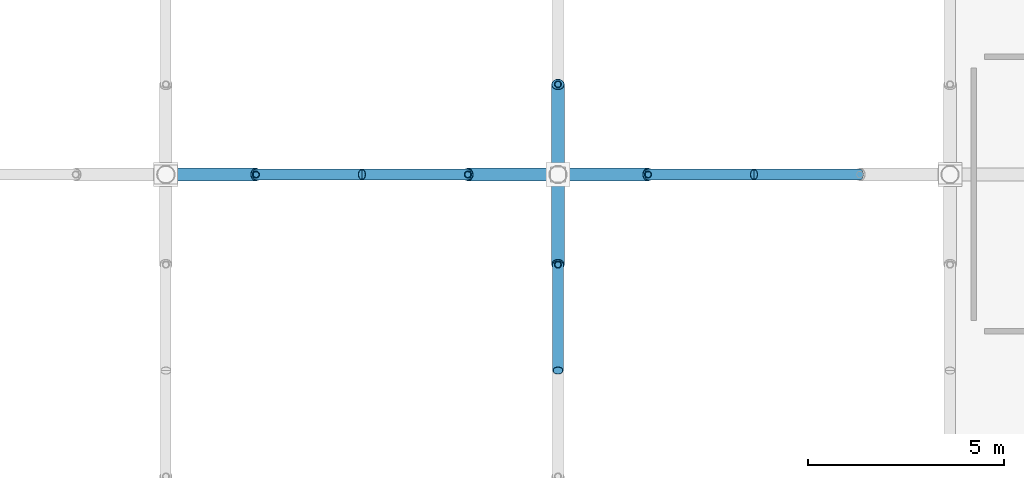
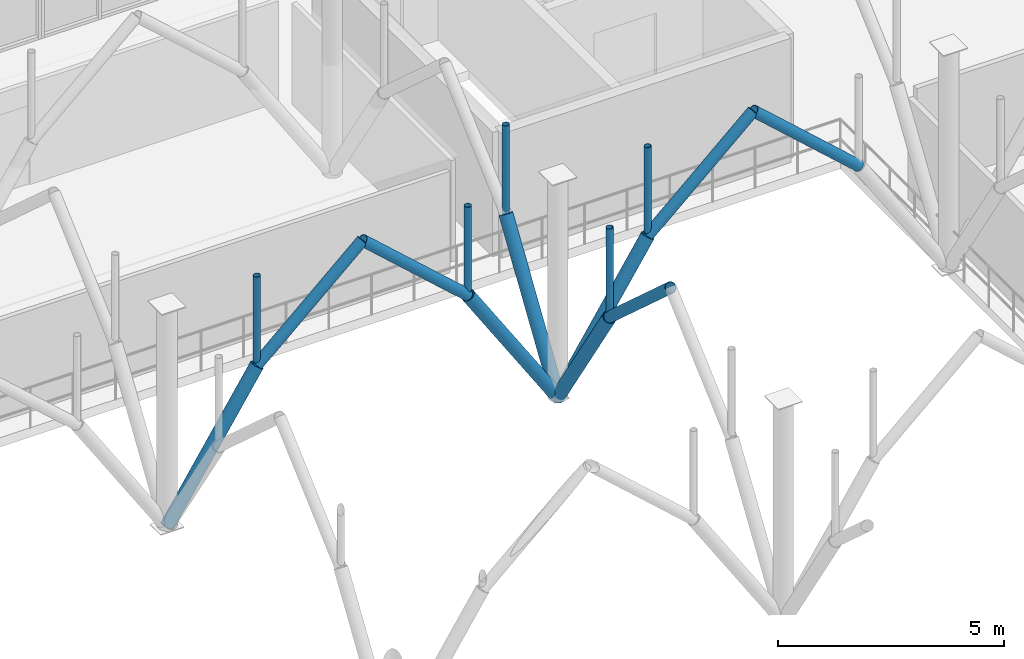
# One storey, part 72 of 109: 15 members.
"""IFC4 building model written with IfcOpenShell, lengths in metres."""

from ifc_helpers import new_model, si_unit, derived_unit, direction, frame, origin, origin_2d_with_axis, place, context, subcontext, project, spatial, hollow_circle, extrude, material, material_profile, profile_set, type_object, element, save


model = new_model("IFC4")

# Units and contexts
model_context = context("Model", 3, precision=1e-05, world=origin(), true_north=direction((0.0, 1.0)))
body_context = subcontext(model_context, "Body", "Model", "MODEL_VIEW")
ifc_project = project(units=[si_unit("LENGTHUNIT", "METRE"), si_unit("AREAUNIT", "SQUARE_METRE"), si_unit("VOLUMEUNIT", "CUBIC_METRE"), si_unit("PLANEANGLEUNIT", "RADIAN"), si_unit("MASSUNIT", "GRAM", prefix="KILO"), derived_unit("THERMALTRANSMITTANCEUNIT", [(si_unit("POWERUNIT", "WATT"), 1), (si_unit("LENGTHUNIT", "METRE"), -2), (si_unit("THERMODYNAMICTEMPERATUREUNIT", "KELVIN"), -1)])], contexts=[model_context])

# Site, building, storey
site_placement = place(None, origin())
site = spatial("IfcSite", under=ifc_project, at=site_placement, CompositionType="ELEMENT")
building_placement = place(site_placement, origin())
building = spatial("IfcBuilding", under=site, at=building_placement, Name="Cinnabar Yard Market Hall", CompositionType="ELEMENT")
storey_placement = place(building_placement, frame((0.0, 0.0, 8.39990234375)))
storey = spatial("IfcBuildingStorey", under=building, at=storey_placement, Name="L02", CompositionType="ELEMENT", Elevation=8.39990234375)

# Members
ifc_material_1 = material(Name="Spotted-gum glulam-clad steel Grade 350 (350 MPa)", Category="steel")
ifc_material_profile_1 = material_profile(ifc_material_1, hollow_circle(Radius=0.136474609375, WallThickness=0.00927734375, at=origin_2d_with_axis()), Name="273.1x9.3CHS")
ifc_profile_set_1 = profile_set([ifc_material_profile_1], Name="Spotted-gum glulam-clad steel Grade 350 (350 MPa)")
member_type_1 = type_object("IfcMemberType", Name="MB-AR01", PredefinedType="USERDEFINED", material=ifc_profile_set_1)
for number, where, z_axis, x_axis, name in (
    (1, (128.300048828125, 54.0, 3.550048828125), (0.743297488271, 0.0, 0.668961018244), (0.0, 1.0, 0.0), "Pointed Arch Rib 0093"),
    (2, (138.300048828125, 54.0, 3.550048828125), (0.743297488271, 0.0, 0.668961018244), (0.0, 1.0, 0.0), "Pointed Arch Rib 0110"),
    (3, (133.699951171875, 54.0, 3.550048828125), (-0.743297488271, 0.0, 0.668961018244), (0.0, -1.0, 0.0), "Pointed Arch Rib 0111"),
    (4, (136.0, 51.699951171875, 3.550048828125), (0.0, -0.743297488271, 0.668961018244), (1.0, 0.0, 0.0), "Pointed Arch Rib 0113"),
    (5, (143.699951171875, 54.0, 3.550048828125), (-0.743297488271, 0.0, 0.668961018244), (0.0, -1.0, 0.0), "Pointed Arch Rib 0127"),
):
    element("IfcMember", number, at=place(storey_placement, frame(where, z_axis=z_axis, x_axis=x_axis)), inside=storey, type_object=member_type_1, Name=name, ObjectType="ARCH RIB", PredefinedType="USERDEFINED", context=body_context, shape_type="SweptSolid", body=[
        extrude(hollow_circle(Radius=0.136474609375, WallThickness=0.00927734375, at=origin_2d_with_axis()), origin(), (0.0, 0.0, 1.0), 3.63232421875),
    ])
ifc_material_profile_2 = material_profile(ifc_material_1, hollow_circle(Radius=0.161865234375, WallThickness=0.009521484375, at=origin_2d_with_axis()), Name="323.9x9.5CHS")
ifc_profile_set_2 = profile_set([ifc_material_profile_2], Name="Spotted-gum glulam-clad steel Grade 350 (350 MPa)")
member_type_2 = type_object("IfcMemberType", Name="MB-ST01", PredefinedType="STRUT", material=ifc_profile_set_2)
for number, where, z_axis, x_axis, name in (
    (6, (126.0, 54.0, 0.0), (0.543744165176, 0.0, 0.839251024925), (0.0, 1.0, 0.0), "Curved Branch Arm Lower 0093"),
    (7, (136.0, 54.0, 0.0), (0.543744165176, 0.0, 0.839251024925), (0.0, 1.0, 0.0), "Curved Branch Arm Lower 0110"),
    (8, (136.0, 54.0, 0.0), (-0.543744165176, 0.0, 0.839251024925), (0.0, -1.0, 0.0), "Curved Branch Arm Lower 0111"),
    (9, (136.0, 54.0, 0.0), (0.0, 0.543744165176, 0.839251024925), (-1.0, 0.0, 0.0), "Curved Branch Arm Lower 0112"),
    (10, (136.0, 54.0, 0.0), (0.0, -0.543744165176, 0.839251024925), (1.0, 0.0, 0.0), "Curved Branch Arm Lower 0113"),
):
    element("IfcMember", number, at=place(storey_placement, frame(where, z_axis=z_axis, x_axis=x_axis)), inside=storey, type_object=member_type_2, Name=name, PredefinedType="STRUT", context=body_context, shape_type="SweptSolid", body=[
        extrude(hollow_circle(Radius=0.161865234375, WallThickness=0.009521484375, at=origin_2d_with_axis()), origin(), (0.0, 0.0, 1.0), 4.22998046875),
    ])
ifc_material_2 = material(Name="Cold-formed steel C350L0", Category="steel")
ifc_material_profile_3 = material_profile(ifc_material_2, hollow_circle(Radius=0.084228515625, WallThickness=0.00634765625, at=origin_2d_with_axis()), Name="168.3x6.4CHS")
ifc_profile_set_3 = profile_set([ifc_material_profile_3], Name="Cold-formed steel C350L0")
member_type_3 = type_object("IfcMemberType", Name="MB-WB01", PredefinedType="STRUT", material=ifc_profile_set_3)
for number, where, z_axis, x_axis, name in (
    (11, (128.300048828125, 54.0, 3.550048828125), (0.0, 0.0, 1.0), (1.0, 0.0, 0.0), "Arch Spandrel Post 0093"),
    (12, (138.300048828125, 54.0, 3.550048828125), (0.0, 0.0, 1.0), (1.0, 0.0, 0.0), "Arch Spandrel Post 0110"),
    (13, (133.699951171875, 54.0, 3.550048828125), (0.0, 0.0, 1.0), (1.0, 0.0, 0.0), "Arch Spandrel Post 0111"),
    (14, (136.0, 56.300048828125, 3.550048828125), (0.0, 0.0, 1.0), (1.0, 0.0, 0.0), "Arch Spandrel Post 0112"),
    (15, (136.0, 51.699951171875, 3.550048828125), (0.0, 0.0, 1.0), (1.0, 0.0, 0.0), "Arch Spandrel Post 0113"),
):
    element("IfcMember", number, at=place(storey_placement, frame(where, z_axis=z_axis, x_axis=x_axis)), inside=storey, type_object=member_type_3, Name=name, PredefinedType="STRUT", context=body_context, shape_type="SweptSolid", body=[
        extrude(hollow_circle(Radius=0.084228515625, WallThickness=0.00634765625, at=origin_2d_with_axis()), origin(), (0.0, 0.0, 1.0), 2.429931640625),
    ])

save(model, "model.ifc")
